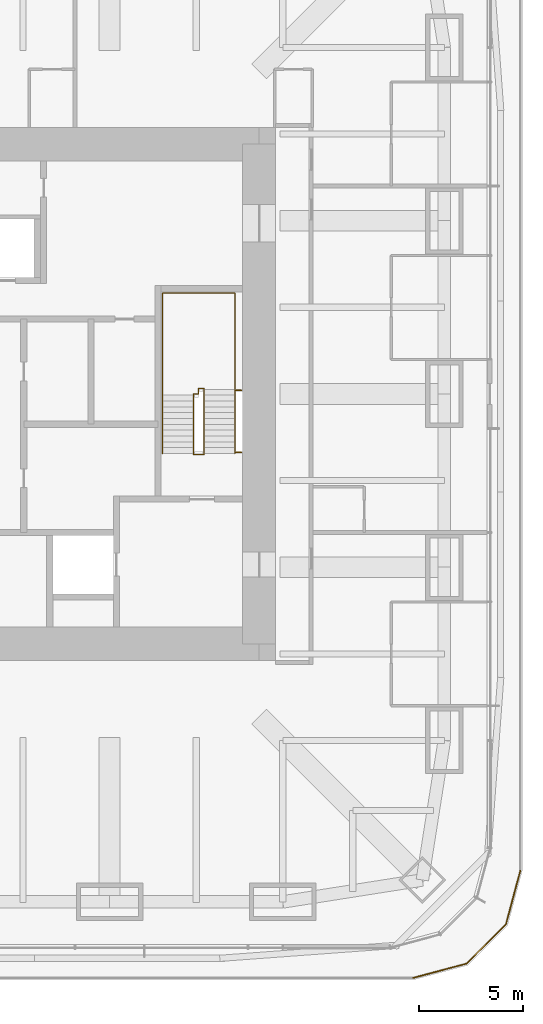
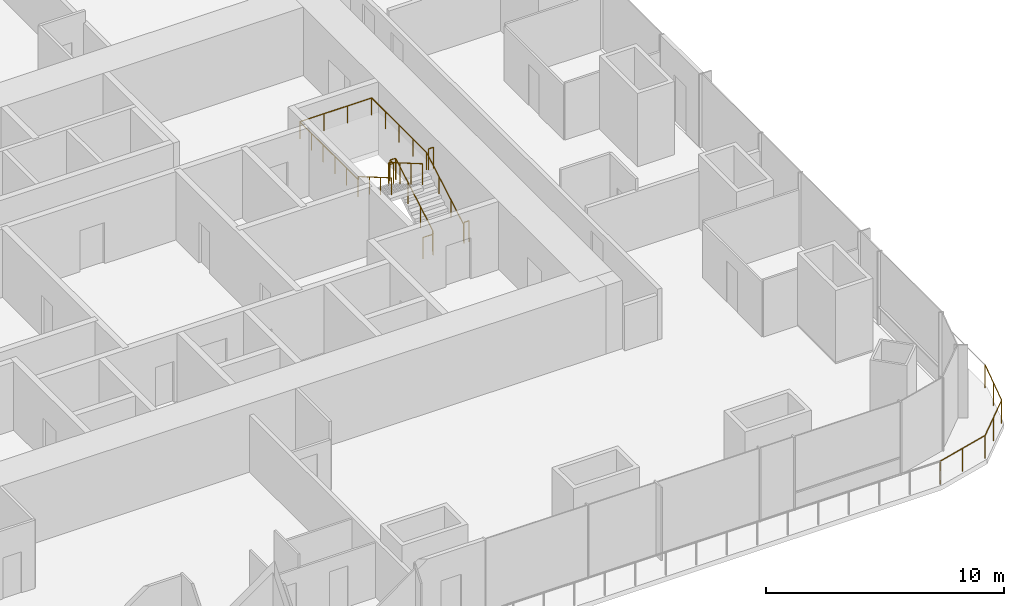
# One storey, part 14 of 15: 5 railings.
"""IFC4 building model written with IfcOpenShell, lengths in metres."""

from ifc_helpers import new_model, si_unit, direction, frame, origin, origin_2d, place, context, subcontext, project, spatial, circle, extrude, material, type_object, element, save


model = new_model("IFC4")

# Units and contexts
model_context = context("Model", 3, precision=1e-05, world=origin(), true_north=direction((0.0, 1.0)))
body_context = subcontext(model_context, "Body", "Model", "MODEL_VIEW")
ifc_project = project(units=[si_unit("LENGTHUNIT", "METRE"), si_unit("AREAUNIT", "SQUARE_METRE"), si_unit("VOLUMEUNIT", "CUBIC_METRE"), si_unit("PLANEANGLEUNIT", "RADIAN"), si_unit("MASSUNIT", "GRAM", prefix="KILO")], contexts=[model_context])

# Site, building, storey
site_placement = place(None, origin())
site = spatial("IfcSite", under=ifc_project, at=site_placement, CompositionType="ELEMENT")
building_placement = place(site_placement, origin())
building = spatial("IfcBuilding", under=site, at=building_placement, Name="Khuree Lantern Residences", CompositionType="ELEMENT")
storey_placement = place(building_placement, frame((0.0, 0.0, 199.5)))
storey = spatial("IfcBuildingStorey", under=building, at=storey_placement, Name="L49", CompositionType="ELEMENT", Elevation=199.5)

# Railings
ifc_material_1 = material(Name="Steel S355", Category="steel")
railing_type_1 = type_object("IfcRailingType", Name="STAIR GUARD G1 1100", PredefinedType="GUARDRAIL", material=ifc_material_1)
railing_1_placement = place(storey_placement, frame((12.35009765625, -2.909912109375, 0.0)))
element("IfcRailing", 1, at=railing_1_placement, inside=storey, type_object=railing_type_1, Name="Stair ST2 guard", PredefinedType="GUARDRAIL", context=body_context, shape_type="SweptSolid", body=[
    extrude(circle(Radius=0.02392578125, at=origin_2d()), frame((0.0, 0.0, 1.076171875), z_axis=(1.0, 0.0, 0.0), x_axis=(0.0, 1.0, 0.0)), (0.0, 0.0, 1.0), 0.5),
    extrude(circle(Radius=0.02392578125, at=origin_2d()), frame((0.5, 0.0, 1.076171875), z_axis=(0.0, 0.292073035251, 0.95639601739), x_axis=(-1.0, 0.0, 0.0)), (0.0, 0.0, 1.0), 0.17041015625),
    extrude(circle(Radius=0.02392578125, at=origin_2d()), frame((0.5, 0.0498046875, 1.2392578125), z_axis=(0.0, 0.864176135923, 0.503189433615), x_axis=(-1.0, 0.0, 0.0)), (0.0, 0.0, 1.0), 3.564208984375),
    extrude(circle(Radius=0.02392578125, at=origin_2d()), frame((0.5, 3.1298828125, 3.03271484375), z_axis=(0.0, 1.0, 0.0), x_axis=(-1.0, 0.0, 0.0)), (0.0, 0.0, 1.0), 0.050048828125),
    extrude(circle(Radius=0.02392578125, at=origin_2d()), frame((0.5, 3.179931640625, 3.03271484375), z_axis=(-1.0, 0.0, 0.0), x_axis=(0.0, -1.0, 0.0)), (0.0, 0.0, 1.0), 0.25),
    extrude(circle(Radius=0.02392578125, at=origin_2d()), frame((0.25, 3.179931640625, 3.03271484375), z_axis=(0.0, -1.0, 0.0), x_axis=(1.0, 0.0, 0.0)), (0.0, 0.0, 1.0), 0.280029296875),
    extrude(circle(Radius=0.02392578125, at=origin_2d()), frame((0.25, 2.89990234375, 3.03271484375), z_axis=(-1.0, 0.0, 0.0), x_axis=(0.0, -1.0, 0.0)), (0.0, 0.0, 1.0), 0.25),
    extrude(circle(Radius=0.02392578125, at=origin_2d()), frame((0.0, 2.89990234375, 3.03271484375), z_axis=(0.0, -0.293381807449, 0.955995353053), x_axis=(1.0, 0.0, 0.0)), (0.0, 0.0, 1.0), 0.170654296875),
    extrude(circle(Radius=0.02392578125, at=origin_2d()), frame((0.0, 2.849853515625, 3.19580078125), z_axis=(0.0, -0.864180358799, 0.503182181189), x_axis=(1.0, 0.0, 0.0)), (0.0, 0.0, 1.0), 3.240234375),
    extrude(circle(Radius=0.02099609375, at=origin_2d()), origin(), (0.0, 0.0, 1.0), 1.052001953125),
    extrude(circle(Radius=0.02099609375, at=origin_2d()), frame((0.5, 0.0, 0.0)), (0.0, 0.0, 1.0), 1.052001953125),
    extrude(circle(Radius=0.02099609375, at=origin_2d()), frame((0.5, 0.0498046875, 0.1630859375)), (0.0, 0.0, 1.0), 1.052001953125),
    extrude(circle(Radius=0.02099609375, at=origin_2d()), frame((0.5, 1.076416015625, 0.760986328125)), (0.0, 0.0, 1.0), 1.052001953125),
    extrude(circle(Radius=0.02099609375, at=origin_2d()), frame((0.5, 2.103271484375, 1.358642578125)), (0.0, 0.0, 1.0), 1.052001953125),
    extrude(circle(Radius=0.02099609375, at=origin_2d()), frame((0.5, 3.1298828125, 1.95654296875)), (0.0, 0.0, 1.0), 1.052001953125),
    extrude(circle(Radius=0.02099609375, at=origin_2d()), frame((0.5, 3.179931640625, 1.95654296875)), (0.0, 0.0, 1.0), 1.052001953125),
    extrude(circle(Radius=0.02099609375, at=origin_2d()), frame((0.25, 3.179931640625, 1.95654296875)), (0.0, 0.0, 1.0), 1.052001953125),
    extrude(circle(Radius=0.02099609375, at=origin_2d()), frame((0.25, 2.89990234375, 1.95654296875)), (0.0, 0.0, 1.0), 1.052001953125),
    extrude(circle(Radius=0.02099609375, at=origin_2d()), frame((0.0, 2.89990234375, 1.95654296875)), (0.0, 0.0, 1.0), 1.052001953125),
    extrude(circle(Radius=0.02099609375, at=origin_2d()), frame((0.0, 2.849853515625, 2.11962890625)), (0.0, 0.0, 1.0), 1.052001953125),
    extrude(circle(Radius=0.02099609375, at=origin_2d()), frame((0.0, 1.91650390625, 2.6630859375)), (0.0, 0.0, 1.0), 1.052001953125),
    extrude(circle(Radius=0.02099609375, at=origin_2d()), frame((0.0, 0.983154296875, 3.20654296875)), (0.0, 0.0, 1.0), 1.052001953125),
    extrude(circle(Radius=0.02099609375, at=origin_2d()), frame((0.0, 0.0498046875, 3.75)), (0.0, 0.0, 1.0), 1.052001953125),
])
for number, where, name in (
    (2, (14.64990234375, -2.81005859375, 0.0), "Stair ST2 landing slot guard"),
    (3, (14.64990234375, 0.169921875, 1.95654296875), "Stair ST2 landing slot guard"),
):
    element("IfcRailing", number, at=place(storey_placement, frame(where)), inside=storey, type_object=railing_type_1, Name=name, PredefinedType="GUARDRAIL", context=body_context, shape_type="SweptSolid", body=[
        extrude(circle(Radius=0.02392578125, at=origin_2d()), frame((0.0, 0.0, 1.076171875), z_axis=(-1.0, 0.0, 0.0), x_axis=(0.0, -1.0, 0.0)), (0.0, 0.0, 1.0), 0.25),
        extrude(circle(Radius=0.02099609375, at=origin_2d()), origin(), (0.0, 0.0, 1.0), 1.052001953125),
        extrude(circle(Radius=0.02099609375, at=origin_2d()), frame((-0.25, 0.0, 0.0)), (0.0, 0.0, 1.0), 1.052001953125),
    ])
railing_type_2 = type_object("IfcRailingType", Name="STAIR HANDRAIL H1 900", PredefinedType="HANDRAIL", material=ifc_material_1)
railing_2_placement = place(storey_placement, frame((14.340087890625, -2.860107421875, 0.1630859375)))
element("IfcRailing", 4, at=railing_2_placement, inside=storey, type_object=railing_type_2, Name="Stair ST2 handrail", PredefinedType="HANDRAIL", context=body_context, shape_type="SweptSolid", body=[
    extrude(circle(Radius=0.02392578125, at=origin_2d()), frame((0.0, 0.0, 0.8759765625), z_axis=(0.0, 0.864176135923, 0.503189433615), x_axis=(-1.0, 0.0, 0.0)), (0.0, 0.0, 1.0), 3.564208984375),
    extrude(circle(Radius=0.02392578125, at=origin_2d()), frame((0.0, 3.080078125, 2.66943359375), z_axis=(0.0, 1.0, 0.0), x_axis=(-1.0, 0.0, 0.0)), (0.0, 0.0, 1.0), 4.6201171875),
    extrude(circle(Radius=0.02392578125, at=origin_2d()), frame((0.0, 7.7001953125, 2.66943359375), z_axis=(-1.0, 0.0, 0.0), x_axis=(0.0, -1.0, 0.0)), (0.0, 0.0, 1.0), 3.47998046875),
    extrude(circle(Radius=0.02392578125, at=origin_2d()), frame((-3.47998046875, 7.7001953125, 2.66943359375), z_axis=(0.0, -1.0, 0.0), x_axis=(1.0, 0.0, 0.0)), (0.0, 0.0, 1.0), 4.900146484375),
    extrude(circle(Radius=0.02392578125, at=origin_2d()), frame((-3.47998046875, 2.800048828125, 2.66943359375), z_axis=(0.0, 0.0, 1.0), x_axis=(1.0, 0.0, 0.0)), (0.0, 0.0, 1.0), 0.1630859375),
    extrude(circle(Radius=0.02392578125, at=origin_2d()), frame((-3.47998046875, 2.800048828125, 2.83251953125), z_axis=(0.0, -0.864180358799, 0.503182181189), x_axis=(1.0, 0.0, 0.0)), (0.0, 0.0, 1.0), 3.240234375),
    extrude(circle(Radius=0.02099609375, at=origin_2d()), origin(), (0.0, 0.0, 1.0), 0.851806640625),
    extrude(circle(Radius=0.02099609375, at=origin_2d()), frame((0.0, 1.026611328125, 0.597900390625)), (0.0, 0.0, 1.0), 0.851806640625),
    extrude(circle(Radius=0.02099609375, at=origin_2d()), frame((0.0, 2.053466796875, 1.195556640625)), (0.0, 0.0, 1.0), 0.851806640625),
    extrude(circle(Radius=0.02099609375, at=origin_2d()), frame((0.0, 3.080078125, 1.79345703125)), (0.0, 0.0, 1.0), 0.851806640625),
    extrude(circle(Radius=0.02099609375, at=origin_2d()), frame((0.0, 4.235107421875, 1.79345703125)), (0.0, 0.0, 1.0), 0.851806640625),
    extrude(circle(Radius=0.02099609375, at=origin_2d()), frame((0.0, 5.39013671875, 1.79345703125)), (0.0, 0.0, 1.0), 0.851806640625),
    extrude(circle(Radius=0.02099609375, at=origin_2d()), frame((0.0, 6.545166015625, 1.79345703125)), (0.0, 0.0, 1.0), 0.851806640625),
    extrude(circle(Radius=0.02099609375, at=origin_2d()), frame((0.0, 7.7001953125, 1.79345703125)), (0.0, 0.0, 1.0), 0.851806640625),
    extrude(circle(Radius=0.02099609375, at=origin_2d()), frame((-1.159912109375, 7.7001953125, 1.79345703125)), (0.0, 0.0, 1.0), 0.851806640625),
    extrude(circle(Radius=0.02099609375, at=origin_2d()), frame((-2.320068359375, 7.7001953125, 1.79345703125)), (0.0, 0.0, 1.0), 0.851806640625),
    extrude(circle(Radius=0.02099609375, at=origin_2d()), frame((-3.47998046875, 7.7001953125, 1.79345703125)), (0.0, 0.0, 1.0), 0.851806640625),
    extrude(circle(Radius=0.02099609375, at=origin_2d()), frame((-3.47998046875, 6.72021484375, 1.79345703125)), (0.0, 0.0, 1.0), 0.851806640625),
    extrude(circle(Radius=0.02099609375, at=origin_2d()), frame((-3.47998046875, 5.740234375, 1.79345703125)), (0.0, 0.0, 1.0), 0.851806640625),
    extrude(circle(Radius=0.02099609375, at=origin_2d()), frame((-3.47998046875, 4.760009765625, 1.79345703125)), (0.0, 0.0, 1.0), 0.851806640625),
    extrude(circle(Radius=0.02099609375, at=origin_2d()), frame((-3.47998046875, 3.780029296875, 1.79345703125)), (0.0, 0.0, 1.0), 0.851806640625),
    extrude(circle(Radius=0.02099609375, at=origin_2d()), frame((-3.47998046875, 2.800048828125, 1.79345703125)), (0.0, 0.0, 1.0), 0.851806640625),
    extrude(circle(Radius=0.02099609375, at=origin_2d()), frame((-3.47998046875, 2.800048828125, 1.95654296875)), (0.0, 0.0, 1.0), 0.851806640625),
    extrude(circle(Radius=0.02099609375, at=origin_2d()), frame((-3.47998046875, 1.86669921875, 2.5)), (0.0, 0.0, 1.0), 0.851806640625),
    extrude(circle(Radius=0.02099609375, at=origin_2d()), frame((-3.47998046875, 0.933349609375, 3.04345703125)), (0.0, 0.0, 1.0), 0.851806640625),
    extrude(circle(Radius=0.02099609375, at=origin_2d()), frame((-3.47998046875, 0.0, 3.5869140625)), (0.0, 0.0, 1.0), 0.851806640625),
])
ifc_material_2 = material(Name="Toughened laminated glass balustrade with bronze anodised aluminium top rail", Category="aluminium")
railing_type_3 = type_object("IfcRailingType", Name="TERRACE GUARD G1 1200", PredefinedType="GUARDRAIL", material=ifc_material_2)
railing_3_placement = place(storey_placement, frame((22.89990234375, -28.050048828125, 0.0)))
element("IfcRailing", 5, at=railing_3_placement, inside=storey, type_object=railing_type_3, Name="L49 SOUTH-EAST CORNER TERRACE GUARD", PredefinedType="GUARDRAIL", context=body_context, shape_type="SweptSolid", body=[
    extrude(circle(Radius=0.02392578125, at=origin_2d()), frame((0.0, 0.0, 1.17626953125), z_axis=(0.965933336906, 0.258791013471, 0.0), x_axis=(-0.258791013471, 0.965933336906, 0.0)), (0.0, 0.0, 1.0), 2.666015625),
    extrude(circle(Radius=0.02392578125, at=origin_2d()), frame((2.5751953125, 0.68994140625, 1.17626953125), z_axis=(0.707106781187, 0.707106781187, 0.0), x_axis=(-0.707106781187, 0.707106781187, 0.0)), (0.0, 0.0, 1.0), 2.665771484375),
    extrude(circle(Radius=0.02392578125, at=origin_2d()), frame((4.460205078125, 2.574951171875, 1.17626953125), z_axis=(0.258791013471, 0.965933336906, 0.0), x_axis=(-0.965933336906, 0.258791013471, 0.0)), (0.0, 0.0, 1.0), 2.666015625),
    extrude(circle(Radius=0.02099609375, at=origin_2d()), origin(), (0.0, 0.0, 1.0), 1.152099609375),
    extrude(circle(Radius=0.02099609375, at=origin_2d()), frame((1.28759765625, 0.344970703125, 0.0)), (0.0, 0.0, 1.0), 1.152099609375),
    extrude(circle(Radius=0.02099609375, at=origin_2d()), frame((2.5751953125, 0.68994140625, 0.0)), (0.0, 0.0, 1.0), 1.152099609375),
    extrude(circle(Radius=0.02099609375, at=origin_2d()), frame((3.517578125, 1.63232421875, 0.0)), (0.0, 0.0, 1.0), 1.152099609375),
    extrude(circle(Radius=0.02099609375, at=origin_2d()), frame((4.460205078125, 2.574951171875, 0.0)), (0.0, 0.0, 1.0), 1.152099609375),
    extrude(circle(Radius=0.02099609375, at=origin_2d()), frame((4.80517578125, 3.862548828125, 0.0)), (0.0, 0.0, 1.0), 1.152099609375),
    extrude(circle(Radius=0.02099609375, at=origin_2d()), frame((5.150146484375, 5.150146484375, 0.0)), (0.0, 0.0, 1.0), 1.152099609375),
])

save(model, "model.ifc")
